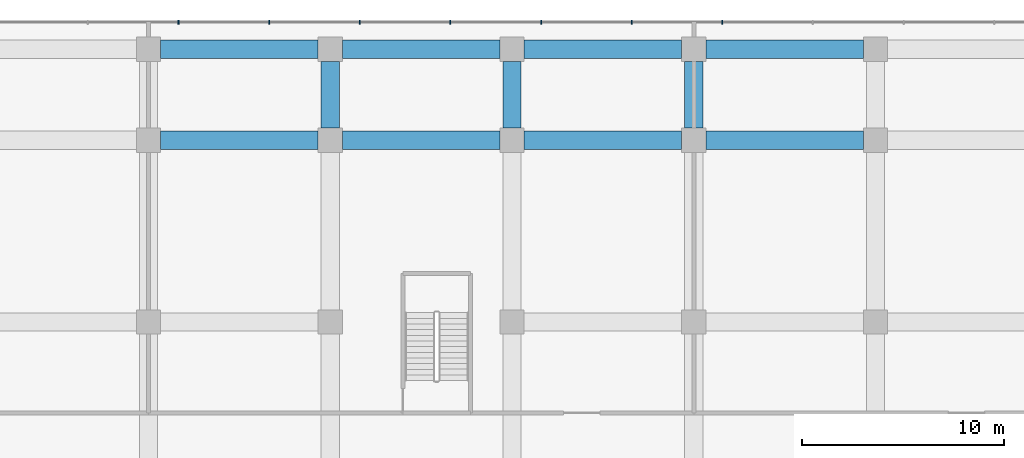
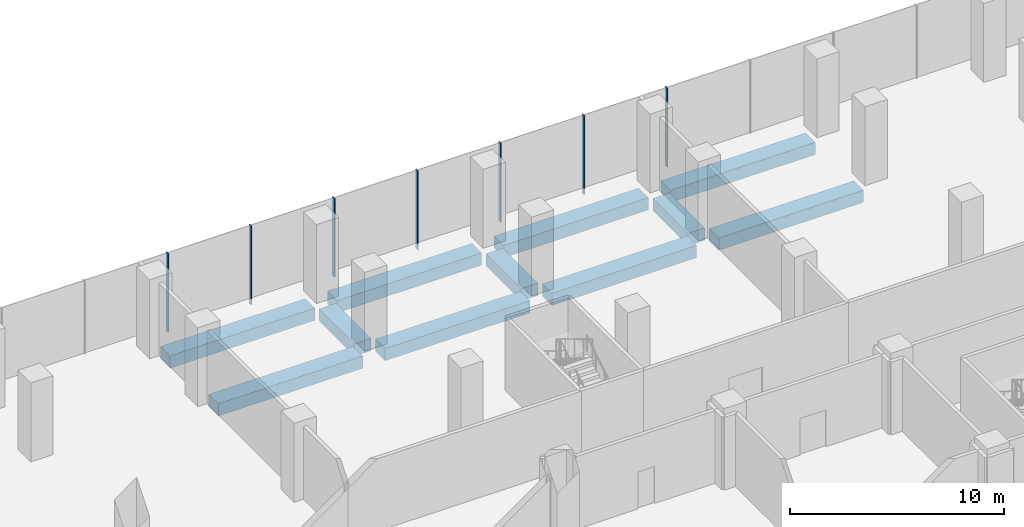
# One storey, part 24 of 43: 11 beams, 7 members, 1 element without a shape of its own.
"""IFC4 building model written with IfcOpenShell, lengths in metres."""

from ifc_helpers import new_model, si_unit, direction, frame, origin, origin_2d, place, context, subcontext, project, spatial, rectangle, extrude, material, layer, layer_set, material_profile, profile_set, type_object, element, aggregate, save


model = new_model("IFC4")

# Units and contexts
model_context = context("Model", 3, precision=1e-05, world=origin(), true_north=direction((0.0, 1.0)))
body_context = subcontext(model_context, "Body", "Model", "MODEL_VIEW")
ifc_project = project(units=[si_unit("LENGTHUNIT", "METRE"), si_unit("AREAUNIT", "SQUARE_METRE"), si_unit("VOLUMEUNIT", "CUBIC_METRE"), si_unit("PLANEANGLEUNIT", "RADIAN"), si_unit("MASSUNIT", "GRAM", prefix="KILO")], contexts=[model_context])

# Site, building, storey
site_placement = place(None, origin())
site = spatial("IfcSite", under=ifc_project, at=site_placement, CompositionType="ELEMENT")
building_placement = place(site_placement, origin())
building = spatial("IfcBuilding", under=site, at=building_placement, Name="Plateau Cross Towers", CompositionType="ELEMENT")
storey_placement = place(building_placement, frame((0.0, 0.0, 17.300048828125)))
storey = spatial("IfcBuildingStorey", under=building, at=storey_placement, Name="L03", CompositionType="ELEMENT", Elevation=17.300048828125)

# Curtain wall, members
ifc_material_1 = material(Name="Dark low-iron laminated glass", Category="glass")
ifc_layer = layer(ifc_material_1, 0.300048828125)
ifc_layer_set = layer_set([ifc_layer], Name="Dark low-iron laminated glass")
curtain_wall_type = type_object("IfcCurtainWallType", Name="Curtain wall structural silicone CW-C", PredefinedType="NOTDEFINED", material=ifc_layer_set)
curtain_wall_placement = place(storey_placement, origin())
curtain_wall = element("IfcCurtainWall", 1, at=curtain_wall_placement, inside=storey, type_object=curtain_wall_type, Name="ENV/P/L03/P1048_598", PredefinedType="NOTDEFINED")
ifc_material_2 = material(Name="Black anodised aluminium", Category="aluminium")
ifc_material_profile_1 = material_profile(ifc_material_2, rectangle(XDim=0.050048828125, YDim=0.199951171875, at=origin_2d()), Name="MULLION 50x200")
ifc_profile_set_1 = profile_set([ifc_material_profile_1], Name="Black anodised aluminium")
member_type = type_object("IfcMemberType", Name="Mullion 50x200 structural silicone", PredefinedType="MULLION", material=ifc_profile_set_1)
member_1_placement = place(storey_placement, frame((82.41259765625, 59.85009765625, -0.35009765625), z_axis=(0.0, 0.0, 1.0), x_axis=(-1.0, 0.0, 0.0)))
member_1 = element("IfcMember", 2, at=member_1_placement, type_object=member_type, Name="CW-C mullion 6", PredefinedType="MULLION", context=body_context, shape_type="SweptSolid", body=[
    extrude(rectangle(XDim=0.050048828125, YDim=0.199951171875, at=origin_2d()), origin(), (0.0, 0.0, 1.0), 4.5),
])
member_2_placement = place(storey_placement, frame((77.925048828125, 59.85009765625, -0.35009765625), z_axis=(0.0, 0.0, 1.0), x_axis=(-1.0, 0.0, 0.0)))
member_2 = element("IfcMember", 3, at=member_2_placement, type_object=member_type, Name="CW-C mullion 7", PredefinedType="MULLION", context=body_context, shape_type="SweptSolid", body=[
    extrude(rectangle(XDim=0.050048828125, YDim=0.199951171875, at=origin_2d()), origin(), (0.0, 0.0, 1.0), 4.5),
])
member_3_placement = place(storey_placement, frame((73.4375, 59.85009765625, -0.35009765625), z_axis=(0.0, 0.0, 1.0), x_axis=(-1.0, 0.0, 0.0)))
member_3 = element("IfcMember", 4, at=member_3_placement, type_object=member_type, Name="CW-C mullion 8", PredefinedType="MULLION", context=body_context, shape_type="SweptSolid", body=[
    extrude(rectangle(XDim=0.050048828125, YDim=0.199951171875, at=origin_2d()), origin(), (0.0, 0.0, 1.0), 4.5),
])
member_4_placement = place(storey_placement, frame((68.949951171875, 59.85009765625, -0.35009765625), z_axis=(0.0, 0.0, 1.0), x_axis=(-1.0, 0.0, 0.0)))
member_4 = element("IfcMember", 5, at=member_4_placement, type_object=member_type, Name="CW-C mullion 9", PredefinedType="MULLION", context=body_context, shape_type="SweptSolid", body=[
    extrude(rectangle(XDim=0.050048828125, YDim=0.199951171875, at=origin_2d()), origin(), (0.0, 0.0, 1.0), 4.5),
])
member_5_placement = place(storey_placement, frame((64.46240234375, 59.85009765625, -0.35009765625), z_axis=(0.0, 0.0, 1.0), x_axis=(-1.0, 0.0, 0.0)))
member_5 = element("IfcMember", 6, at=member_5_placement, type_object=member_type, Name="CW-C mullion 10", PredefinedType="MULLION", context=body_context, shape_type="SweptSolid", body=[
    extrude(rectangle(XDim=0.050048828125, YDim=0.199951171875, at=origin_2d()), origin(), (0.0, 0.0, 1.0), 4.5),
])
member_6_placement = place(storey_placement, frame((59.97509765625, 59.85009765625, -0.35009765625), z_axis=(0.0, 0.0, 1.0), x_axis=(-1.0, 0.0, 0.0)))
member_6 = element("IfcMember", 7, at=member_6_placement, type_object=member_type, Name="CW-C mullion 11", PredefinedType="MULLION", context=body_context, shape_type="SweptSolid", body=[
    extrude(rectangle(XDim=0.050048828125, YDim=0.199951171875, at=origin_2d()), origin(), (0.0, 0.0, 1.0), 4.5),
])
member_7_placement = place(storey_placement, frame((55.487548828125, 59.85009765625, -0.35009765625), z_axis=(0.0, 0.0, 1.0), x_axis=(-1.0, 0.0, 0.0)))
member_7 = element("IfcMember", 8, at=member_7_placement, type_object=member_type, Name="CW-C mullion 12", PredefinedType="MULLION", context=body_context, shape_type="SweptSolid", body=[
    extrude(rectangle(XDim=0.050048828125, YDim=0.199951171875, at=origin_2d()), origin(), (0.0, 0.0, 1.0), 4.5),
])
aggregate(curtain_wall, [member_1, member_2, member_3, member_4, member_5, member_6, member_7])

# Beams
ifc_material_3 = material(Name="Concrete C50/60", Category="concrete")
ifc_material_profile_2 = material_profile(ifc_material_3, rectangle(XDim=0.89990234375, YDim=0.699951171875, at=origin_2d()), Name="RC 900x700")
ifc_profile_set_2 = profile_set([ifc_material_profile_2], Name="Concrete C50/60")
beam_type = type_object("IfcBeamType", Name="Podium band beam RC 900x700", PredefinedType="BEAM", material=ifc_profile_set_2)
for number, where, z_axis, x_axis, name in (
    (9, (54.60009765625, 54.0, -0.699951171875), (1.0, 0.0, 0.0), (0.0, 1.0, 0.0), "PB74@L03"),
    (10, (63.60009765625, 54.0, -0.699951171875), (1.0, 0.0, 0.0), (0.0, 1.0, 0.0), "PB75@L03"),
    (11, (72.60009765625, 54.0, -0.699951171875), (1.0, 0.0, 0.0), (0.0, 1.0, 0.0), "PB76@L03"),
    (12, (81.60009765625, 54.0, -0.699951171875), (1.0, 0.0, 0.0), (0.0, 1.0, 0.0), "PB77@L03"),
    (13, (54.60009765625, 58.5, -0.699951171875), (1.0, 0.0, 0.0), (0.0, 1.0, 0.0), "PB87@L03"),
    (14, (63.60009765625, 58.5, -0.699951171875), (1.0, 0.0, 0.0), (0.0, 1.0, 0.0), "PB88@L03"),
    (15, (72.60009765625, 58.5, -0.699951171875), (1.0, 0.0, 0.0), (0.0, 1.0, 0.0), "PB89@L03"),
    (16, (81.60009765625, 58.5, -0.699951171875), (1.0, 0.0, 0.0), (0.0, 1.0, 0.0), "PB90@L03"),
):
    element("IfcBeam", number, at=place(storey_placement, frame(where, z_axis=z_axis, x_axis=x_axis)), inside=storey, type_object=beam_type, Name=name, PredefinedType="BEAM", context=body_context, shape_type="SweptSolid", body=[
        extrude(rectangle(XDim=0.89990234375, YDim=0.699951171875, at=origin_2d()), origin(), (0.0, 0.0, 1.0), 7.7998046875),
    ])
for number, where, z_axis, x_axis, name in (
    (17, (63.0, 54.60009765625, -0.699951171875), (0.0, 1.0, 0.0), (-1.0, 0.0, 0.0), "PB156@L03"),
    (18, (72.0, 54.60009765625, -0.699951171875), (0.0, 1.0, 0.0), (-1.0, 0.0, 0.0), "PB160@L03"),
    (19, (81.0, 54.60009765625, -0.699951171875), (0.0, 1.0, 0.0), (-1.0, 0.0, 0.0), "PB164@L03"),
):
    element("IfcBeam", number, at=place(storey_placement, frame(where, z_axis=z_axis, x_axis=x_axis)), inside=storey, type_object=beam_type, Name=name, PredefinedType="BEAM", context=body_context, shape_type="SweptSolid", body=[
        extrude(rectangle(XDim=0.89990234375, YDim=0.699951171875, at=origin_2d()), origin(), (0.0, 0.0, 1.0), 3.2998046875),
    ])

save(model, "model.ifc")
